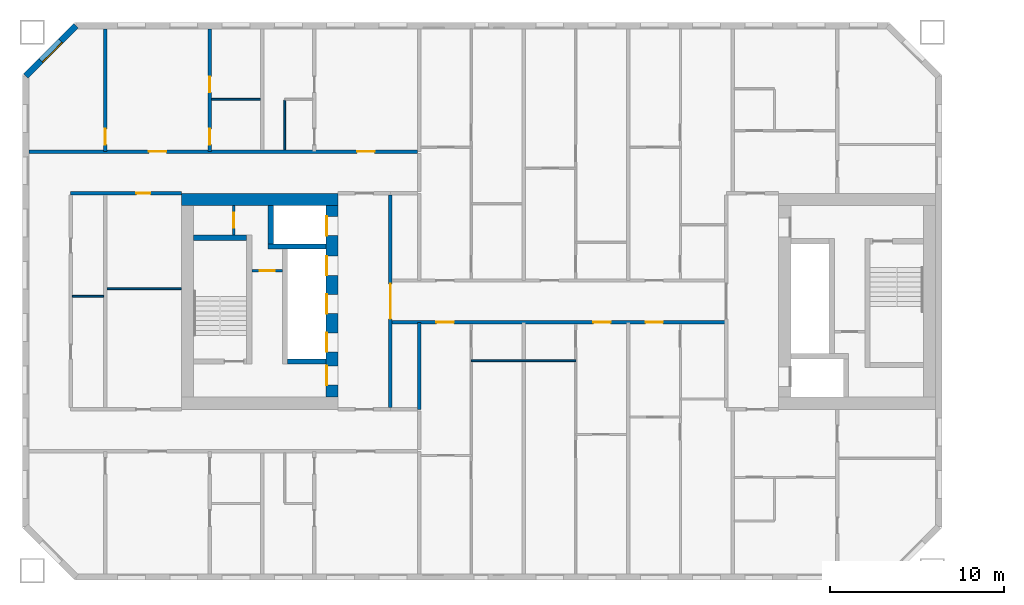
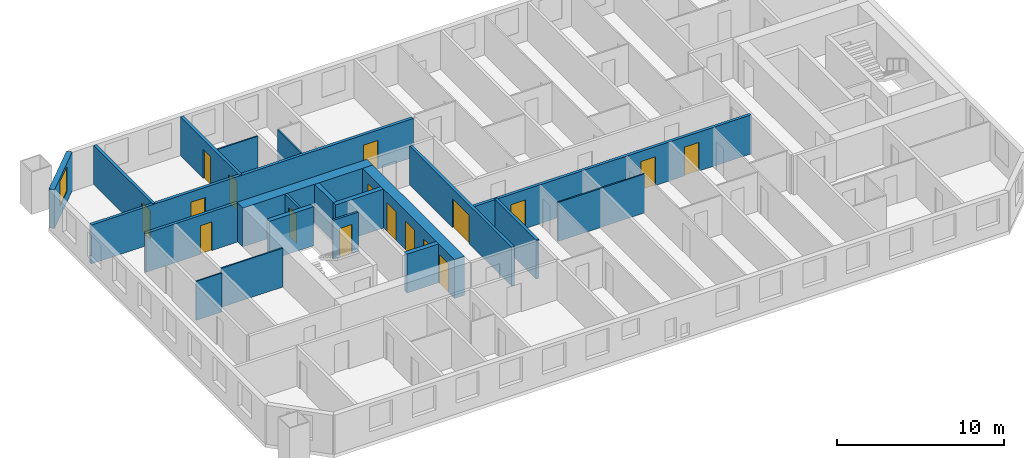
# One storey, part 4 of 16: 21 walls, 17 doors, 1 window, 18 openings.
"""IFC4 building model written with IfcOpenShell, lengths in metres."""

from ifc_helpers import new_model, si_unit, direction, frame, frame_2d, origin, place, context, subcontext, project, spatial, rectangle, extrude, material, layer, layer_set, type_object, element, fill, save


model = new_model("IFC4")

# Units and contexts
model_context = context("Model", 3, precision=1e-05, world=origin(), true_north=direction((0.0, 1.0)))
body_context = subcontext(model_context, "Body", "Model", "MODEL_VIEW")
ifc_project = project(units=[si_unit("LENGTHUNIT", "METRE"), si_unit("AREAUNIT", "SQUARE_METRE"), si_unit("VOLUMEUNIT", "CUBIC_METRE"), si_unit("PLANEANGLEUNIT", "RADIAN"), si_unit("MASSUNIT", "GRAM", prefix="KILO")], contexts=[model_context])

# Site, building, storey
site_placement = place(None, origin())
site = spatial("IfcSite", under=ifc_project, at=site_placement, CompositionType="ELEMENT")
building_placement = place(site_placement, origin())
building = spatial("IfcBuilding", under=site, at=building_placement, Name="Tuart Gate Housing", CompositionType="ELEMENT")
storey_placement = place(building_placement, frame((0.0, 0.0, 87.10009765625)))
storey = spatial("IfcBuildingStorey", under=building, at=storey_placement, Name="L24", CompositionType="ELEMENT", Elevation=87.10009765625)

# Wall, opening, window
ifc_material_1 = material(Name="Brick", Category="masonry")
ifc_layer_1 = layer(ifc_material_1, 0.360107421875)
ifc_layer_set_1 = layer_set([ifc_layer_1], Name="Brick pier and spandrel wall 360")
wall_type_1 = type_object("IfcWallType", Name="Brick pier and spandrel wall 360", PredefinedType="STANDARD", material=ifc_layer_set_1)
wall_1_placement = place(storey_placement, frame((26.32470703125, 85.820068359375, 0.0), z_axis=(0.0, 0.0, 1.0), x_axis=(-0.707106781187, -0.707106781187, 0.0)))
wall_1 = element("IfcWall", 1, at=wall_1_placement, inside=storey, type_object=wall_type_1, Name="External wall A-NW L24", PredefinedType="STANDARD", context=body_context, shape_type="SweptSolid", body=[
    extrude(rectangle(XDim=4.09375, YDim=0.360107421875, at=frame_2d((2.046875, 0.0))), origin(), (0.0, 0.0, 1.0), 2.849853515625),
])
opening_1_placement = place(wall_1_placement, frame((1.2470703125, 0.0, 0.800048828125)))
opening_1 = element("IfcOpeningElement", 2, at=opening_1_placement, cuts=wall_1, Name="Opening W1", PredefinedType="OPENING", context=body_context, shape_type="SweptSolid", body=[
    extrude(rectangle(XDim=1.60009765625, YDim=1.800048828125, at=frame_2d((0.800048828125, 0.89990234375))), frame((0.0, 0.18994140625, 0.0), z_axis=(0.0, -1.0, 0.0), x_axis=(1.0, 0.0, 0.0)), (0.0, 0.0, 1.0), 0.380126953125),
])
ifc_material_2 = material(Name="Aluminium frame with clear glass", Category="aluminium")
window_type = type_object("IfcWindowType", Name="Punched window 1600 x 1800", PartitioningType="SINGLE_PANEL", PredefinedType="WINDOW", material=ifc_material_2)
window_placement = place(opening_1_placement, origin())
window = element("IfcWindow", 3, at=window_placement, inside=storey, type_object=window_type, Name="Window W1", OverallHeight=1.800048828125, OverallWidth=1.60009765625, PartitioningType="SINGLE_PANEL", PredefinedType="WINDOW", context=body_context, shape_type="SweptSolid", body=[
    extrude(rectangle(XDim=1.60009765625, YDim=1.800048828125, at=frame_2d((0.800048828125, 0.89990234375))), frame((0.0, 0.150146484375, 0.0), z_axis=(0.0, -1.0, 0.0), x_axis=(1.0, 0.0, 0.0)), (0.0, 0.0, 1.0), 0.06005859375),
])
fill(opening_1, window)

# Wall, opening, door
ifc_material_3 = material(Name="Plasterboard partition")
ifc_layer_2 = layer(ifc_material_3, 0.14990234375)
ifc_layer_set_2 = layer_set([ifc_layer_2], Name="Core partition 150")
wall_type_2 = type_object("IfcWallType", Name="Core partition 150", PredefinedType="PARTITIONING", material=ifc_layer_set_2)
wall_2_placement = place(storey_placement, frame((38.159912109375, 71.75, 0.0), z_axis=(0.0, 0.0, 1.0), x_axis=(-1.0, 0.0, 0.0)))
wall_2 = element("IfcWall", 4, at=wall_2_placement, inside=storey, type_object=wall_type_2, Name="Core partition AK.3", PredefinedType="PARTITIONING", context=body_context, shape_type="SweptSolid", body=[
    extrude(rectangle(XDim=1.75, YDim=0.14990234375, at=frame_2d((0.875, 0.0))), origin(), (0.0, 0.0, 1.0), 2.849853515625),
])
opening_2_placement = place(wall_2_placement, frame((0.449951171875, 0.0, 0.0)))
opening_2 = element("IfcOpeningElement", 5, at=opening_2_placement, cuts=wall_2, Name="Opening D975", PredefinedType="OPENING", context=body_context, shape_type="SweptSolid", body=[
    extrude(rectangle(XDim=0.85009765625, YDim=2.10009765625, at=frame_2d((0.425048828125, 1.050048828125))), frame((0.0, 0.0849609375, 0.0), z_axis=(0.0, -1.0, 0.0), x_axis=(1.0, 0.0, 0.0)), (0.0, 0.0, 1.0), 0.169921875),
])
ifc_material_4 = material(Name="Steel fire door", Category="steel")
door_type_1 = type_object("IfcDoorType", Name="Riser door 850 x 2100 RH", OperationType="SINGLE_SWING_RIGHT", PredefinedType="DOOR", material=ifc_material_4)
door_1_placement = place(opening_2_placement, frame((0.85009765625, 0.0, 0.0), z_axis=(0.0, 0.0, 1.0), x_axis=(-1.0, 0.0, 0.0)))
door_1 = element("IfcDoor", 6, at=door_1_placement, inside=storey, type_object=door_type_1, Name="Service room door AK.E1", OperationType="SINGLE_SWING_RIGHT", OverallHeight=2.10009765625, OverallWidth=0.85009765625, PredefinedType="DOOR", context=body_context, shape_type="SweptSolid", body=[
    extrude(rectangle(XDim=0.85009765625, YDim=2.10009765625, at=frame_2d((0.425048828125, 1.050048828125))), frame((0.0, 0.025146484375, 0.0), z_axis=(0.0, -1.0, 0.0), x_axis=(1.0, 0.0, 0.0)), (0.0, 0.0, 1.0), 0.050048828125),
])
fill(opening_2, door_1)

wall_3_placement = place(storey_placement, frame((35.360107421875, 75.5, 0.0), z_axis=(0.0, 0.0, 1.0), x_axis=(0.0, -1.0, 0.0)))
wall_3 = element("IfcWall", 7, at=wall_3_placement, inside=storey, type_object=wall_type_2, Name="Core partition AK.9", PredefinedType="PARTITIONING", context=body_context, shape_type="SweptSolid", body=[
    extrude(rectangle(XDim=1.699951171875, YDim=0.14990234375, at=frame_2d((0.85009765625, 0.0))), origin(), (0.0, 0.0, 1.0), 2.849853515625),
])
opening_3_placement = place(wall_3_placement, frame((0.425048828125, 0.0, 0.0)))
opening_3 = element("IfcOpeningElement", 8, at=opening_3_placement, cuts=wall_3, Name="Opening D973", PredefinedType="OPENING", context=body_context, shape_type="SweptSolid", body=[
    extrude(rectangle(XDim=0.85009765625, YDim=2.10009765625, at=frame_2d((0.425048828125, 1.050048828125))), frame((0.0, 0.0849609375, 0.0), z_axis=(0.0, -1.0, 0.0), x_axis=(1.0, 0.0, 0.0)), (0.0, 0.0, 1.0), 0.169921875),
])
ifc_material_5 = material(Name="Steel fire door", Category="steel")
door_type_2 = type_object("IfcDoorType", Name="Service door 850 x 2100", OperationType="SINGLE_SWING_LEFT", PredefinedType="DOOR", material=ifc_material_5)
door_2_placement = place(opening_3_placement, origin())
door_2 = element("IfcDoor", 9, at=door_2_placement, inside=storey, type_object=door_type_2, Name="Service room door AK.E2", OperationType="SINGLE_SWING_LEFT", OverallHeight=2.10009765625, OverallWidth=0.85009765625, PredefinedType="DOOR", context=body_context, shape_type="SweptSolid", body=[
    extrude(rectangle(XDim=0.85009765625, YDim=2.10009765625, at=frame_2d((0.425048828125, 1.050048828125))), frame((0.0, 0.02490234375, 0.0), z_axis=(0.0, -1.0, 0.0), x_axis=(1.0, 0.0, 0.0)), (0.0, 0.0, 1.0), 0.050048828125),
])
fill(opening_3, door_2)

# Walls
ifc_material_6 = material(Name="Concrete C50", Category="concrete")
ifc_layer_3 = layer(ifc_material_6, 0.300048828125)
ifc_layer_set_3 = layer_set([ifc_layer_3], Name="Core wall 300 C50")
wall_type_3 = type_object("IfcWallType", Name="Core wall 300 C50", PredefinedType="SHEAR", material=ifc_layer_set_3)
wall_4_placement = place(storey_placement, frame((36.110107421875, 73.64990234375, 0.0), z_axis=(0.0, 0.0, 1.0), x_axis=(-1.0, 0.0, 0.0)))
element("IfcWall", 10, at=wall_4_placement, inside=storey, type_object=wall_type_3, Name="Core wall AK.1", PredefinedType="SHEAR", context=body_context, shape_type="SweptSolid", body=[
    extrude(rectangle(XDim=3.050048828125, YDim=0.300048828125, at=frame_2d((1.52490234375, 0.0))), origin(), (0.0, 0.0, 1.0), 2.849853515625),
])
wall_5_placement = place(storey_placement, frame((40.659912109375, 73.14990234375, 0.0), z_axis=(0.0, 0.0, 1.0), x_axis=(-1.0, 0.0, 0.0)))
element("IfcWall", 11, at=wall_5_placement, inside=storey, type_object=wall_type_3, Name="Core wall AK.2", PredefinedType="SHEAR", context=body_context, shape_type="SweptSolid", body=[
    extrude(rectangle(XDim=3.31982421875, YDim=0.300048828125, at=frame_2d((1.659912109375, 0.0))), origin(), (0.0, 0.0, 1.0), 2.849853515625),
])
for number, where, z_axis, x_axis, name in (
    (12, (40.659912109375, 66.550048828125, 0.0), (0.0, 0.0, 1.0), (-1.0, 0.0, 0.0), "Core wall AK.4"),
    (13, (37.489990234375, 75.5, 0.0), (0.0, 0.0, 1.0), (0.0, -1.0, 0.0), "Core wall AK.7"),
):
    element("IfcWall", number, at=place(storey_placement, frame(where, z_axis=z_axis, x_axis=x_axis)), inside=storey, type_object=wall_type_3, Name=name, PredefinedType="SHEAR", context=body_context, shape_type="SweptSolid", body=[
        extrude(rectangle(XDim=2.199951171875, YDim=0.300048828125, at=frame_2d((1.10009765625, 0.0))), origin(), (0.0, 0.0, 1.0), 2.849853515625),
    ])

# Wall, openings, doors
ifc_material_7 = material(Name="Concrete C50", Category="concrete")
ifc_layer_4 = layer(ifc_material_7, 0.699951171875)
ifc_layer_set_4 = layer_set([ifc_layer_4], Name="Core wall 700 C50")
wall_type_4 = type_object("IfcWallType", Name="Core wall 700 C50", PredefinedType="SHEAR", material=ifc_layer_set_4)
wall_6_placement = place(storey_placement, frame((41.010009765625, 75.5, 0.0), z_axis=(0.0, 0.0, 1.0), x_axis=(0.0, -1.0, 0.0)))
wall_6 = element("IfcWall", 14, at=wall_6_placement, inside=storey, type_object=wall_type_4, Name="Core wall AK front", PredefinedType="SHEAR", context=body_context, shape_type="SweptSolid", body=[
    extrude(rectangle(XDim=11.0, YDim=0.699951171875, at=frame_2d((5.5, 0.0))), origin(), (0.0, 0.0, 1.0), 2.849853515625),
])
opening_4_placement = place(wall_6_placement, frame((0.625, 0.0, 0.0)))
opening_4 = element("IfcOpeningElement", 15, at=opening_4_placement, cuts=wall_6, Name="Opening LD-FA2", PredefinedType="OPENING", context=body_context, shape_type="SweptSolid", body=[
    extrude(rectangle(XDim=1.10009765625, YDim=2.10009765625, at=frame_2d((0.550048828125, 1.050048828125))), frame((0.0, 0.35986328125, 0.0), z_axis=(0.0, -1.0, 0.0), x_axis=(1.0, 0.0, 0.0)), (0.0, 0.0, 1.0), 0.719970703125),
])
opening_5_placement = place(wall_6_placement, frame((2.89990234375, 0.0, 0.0)))
opening_5 = element("IfcOpeningElement", 16, at=opening_5_placement, cuts=wall_6, Name="Opening LD-LA4", PredefinedType="OPENING", context=body_context, shape_type="SweptSolid", body=[
    extrude(rectangle(XDim=1.10009765625, YDim=2.10009765625, at=frame_2d((0.550048828125, 1.050048828125))), frame((0.0, 0.35986328125, 0.0), z_axis=(0.0, -1.0, 0.0), x_axis=(1.0, 0.0, 0.0)), (0.0, 0.0, 1.0), 0.719970703125),
])
opening_6_placement = place(wall_6_placement, frame((5.10009765625, 0.0, 0.0)))
opening_6 = element("IfcOpeningElement", 17, at=opening_6_placement, cuts=wall_6, Name="Opening LD-LA5", PredefinedType="OPENING", context=body_context, shape_type="SweptSolid", body=[
    extrude(rectangle(XDim=1.10009765625, YDim=2.10009765625, at=frame_2d((0.550048828125, 1.050048828125))), frame((0.0, 0.35986328125, 0.0), z_axis=(0.0, -1.0, 0.0), x_axis=(1.0, 0.0, 0.0)), (0.0, 0.0, 1.0), 0.719970703125),
])
opening_7_placement = place(wall_6_placement, frame((7.300048828125, 0.0, 0.0)))
opening_7 = element("IfcOpeningElement", 18, at=opening_7_placement, cuts=wall_6, Name="Opening LD-LA6", PredefinedType="OPENING", context=body_context, shape_type="SweptSolid", body=[
    extrude(rectangle(XDim=1.10009765625, YDim=2.10009765625, at=frame_2d((0.550048828125, 1.050048828125))), frame((0.0, 0.35986328125, 0.0), z_axis=(0.0, -1.0, 0.0), x_axis=(1.0, 0.0, 0.0)), (0.0, 0.0, 1.0), 0.719970703125),
])
opening_8_placement = place(wall_6_placement, frame((9.199951171875, 0.0, 0.0)))
opening_8 = element("IfcOpeningElement", 19, at=opening_8_placement, cuts=wall_6, Name="Opening D981", PredefinedType="OPENING", context=body_context, shape_type="SweptSolid", body=[
    extrude(rectangle(XDim=1.10009765625, YDim=2.10009765625, at=frame_2d((0.550048828125, 1.050048828125))), frame((0.0, 0.35986328125, 0.0), z_axis=(0.0, -1.0, 0.0), x_axis=(1.0, 0.0, 0.0)), (0.0, 0.0, 1.0), 0.719970703125),
])
ifc_material_8 = material(Name="Stainless steel", Category="steel")
door_type_3 = type_object("IfcDoorType", Name="Landing door 1100 x 2100", OperationType="DOUBLE_DOOR_SLIDING", PredefinedType="DOOR", material=ifc_material_8)
door_3_placement = place(opening_4_placement, origin())
door_3 = element("IfcDoor", 20, at=door_3_placement, inside=storey, type_object=door_type_3, Name="Lift landing door FA2", OperationType="DOUBLE_DOOR_SLIDING", OverallHeight=2.10009765625, OverallWidth=1.10009765625, PredefinedType="DOOR", context=body_context, shape_type="SweptSolid", body=[
    extrude(rectangle(XDim=1.10009765625, YDim=2.10009765625, at=frame_2d((0.550048828125, 1.050048828125))), frame((0.0, -0.28515625, 0.0), z_axis=(0.0, -1.0, 0.0), x_axis=(1.0, 0.0, 0.0)), (0.0, 0.0, 1.0), 0.050048828125),
])
fill(opening_4, door_3)
door_4_placement = place(opening_5_placement, origin())
door_4 = element("IfcDoor", 21, at=door_4_placement, inside=storey, type_object=door_type_3, Name="Lift landing door LA4", OperationType="DOUBLE_DOOR_SLIDING", OverallHeight=2.10009765625, OverallWidth=1.10009765625, PredefinedType="DOOR", context=body_context, shape_type="SweptSolid", body=[
    extrude(rectangle(XDim=1.10009765625, YDim=2.10009765625, at=frame_2d((0.550048828125, 1.050048828125))), frame((0.0, -0.28515625, 0.0), z_axis=(0.0, -1.0, 0.0), x_axis=(1.0, 0.0, 0.0)), (0.0, 0.0, 1.0), 0.050048828125),
])
fill(opening_5, door_4)
door_5_placement = place(opening_6_placement, origin())
door_5 = element("IfcDoor", 22, at=door_5_placement, inside=storey, type_object=door_type_3, Name="Lift landing door LA5", OperationType="DOUBLE_DOOR_SLIDING", OverallHeight=2.10009765625, OverallWidth=1.10009765625, PredefinedType="DOOR", context=body_context, shape_type="SweptSolid", body=[
    extrude(rectangle(XDim=1.10009765625, YDim=2.10009765625, at=frame_2d((0.550048828125, 1.050048828125))), frame((0.0, -0.28515625, 0.0), z_axis=(0.0, -1.0, 0.0), x_axis=(1.0, 0.0, 0.0)), (0.0, 0.0, 1.0), 0.050048828125),
])
fill(opening_6, door_5)
door_6_placement = place(opening_7_placement, origin())
door_6 = element("IfcDoor", 23, at=door_6_placement, inside=storey, type_object=door_type_3, Name="Lift landing door LA6", OperationType="DOUBLE_DOOR_SLIDING", OverallHeight=2.10009765625, OverallWidth=1.10009765625, PredefinedType="DOOR", context=body_context, shape_type="SweptSolid", body=[
    extrude(rectangle(XDim=1.10009765625, YDim=2.10009765625, at=frame_2d((0.550048828125, 1.050048828125))), frame((0.0, -0.28515625, 0.0), z_axis=(0.0, -1.0, 0.0), x_axis=(1.0, 0.0, 0.0)), (0.0, 0.0, 1.0), 0.050048828125),
])
fill(opening_7, door_6)
ifc_material_9 = material(Name="Steel fire door", Category="steel")
door_type_4 = type_object("IfcDoorType", Name="Lobby door 1100 x 2100 RH", OperationType="SINGLE_SWING_RIGHT", PredefinedType="DOOR", material=ifc_material_9)
door_7_placement = place(opening_8_placement, frame((1.10009765625, 0.0, 0.0), z_axis=(0.0, 0.0, 1.0), x_axis=(-1.0, 0.0, 0.0)))
door_7 = element("IfcDoor", 24, at=door_7_placement, inside=storey, type_object=door_type_4, Name="Lobby entry door AK.EN", OperationType="SINGLE_SWING_RIGHT", OverallHeight=2.10009765625, OverallWidth=1.10009765625, PredefinedType="DOOR", context=body_context, shape_type="SweptSolid", body=[
    extrude(rectangle(XDim=1.10009765625, YDim=2.10009765625, at=frame_2d((0.550048828125, 1.050048828125))), frame((0.0, 0.335205078125, 0.0), z_axis=(0.0, -1.0, 0.0), x_axis=(1.0, 0.0, 0.0)), (0.0, 0.0, 1.0), 0.050048828125),
])
fill(opening_8, door_7)

# Wall
wall_7_placement = place(storey_placement, frame((41.360107421875, 75.85009765625, 0.0), z_axis=(0.0, 0.0, 1.0), x_axis=(-1.0, 0.0, 0.0)))
element("IfcWall", 25, at=wall_7_placement, inside=storey, type_object=wall_type_4, Name="Core wall AK south", PredefinedType="SHEAR", context=body_context, shape_type="SweptSolid", body=[
    extrude(rectangle(XDim=9.0, YDim=0.699951171875, at=frame_2d((4.5, 0.0))), origin(), (0.0, 0.0, 1.0), 2.849853515625),
])

# Wall, openings, doors
ifc_material_10 = material(Name="Concrete masonry 15 MPa", Category="masonry")
ifc_layer_5 = layer(ifc_material_10, 0.199951171875)
ifc_layer_set_5 = layer_set([ifc_layer_5], Name="Corridor wall masonry 200")
wall_type_5 = type_object("IfcWallType", Name="Corridor wall masonry 200", PredefinedType="PARTITIONING", material=ifc_layer_set_5)
wall_8_placement = place(storey_placement, frame((44.360107421875, 68.800048828125, 0.0), z_axis=(0.0, 0.0, 1.0), x_axis=(1.0, 0.0, 0.0)))
wall_8 = element("IfcWall", 26, at=wall_8_placement, inside=storey, type_object=wall_type_5, Name="Corridor wall masonry 200", PredefinedType="PARTITIONING", context=body_context, shape_type="SweptSolid", body=[
    extrude(rectangle(XDim=19.27978515625, YDim=0.199951171875, at=frame_2d((9.639892578125, 0.0))), origin(), (0.0, 0.0, 1.0), 2.849853515625),
])
opening_9_placement = place(wall_8_placement, frame((14.639892578125, 0.0, 0.0)))
opening_9 = element("IfcOpeningElement", 27, at=opening_9_placement, cuts=wall_8, Name="Opening D985", PredefinedType="OPENING", context=body_context, shape_type="SweptSolid", body=[
    extrude(rectangle(XDim=1.0, YDim=2.10009765625, at=frame_2d((0.5, 1.050048828125))), frame((0.0, 0.10986328125, 0.0), z_axis=(0.0, -1.0, 0.0), x_axis=(1.0, 0.0, 0.0)), (0.0, 0.0, 1.0), 0.219970703125),
])
opening_10_placement = place(wall_8_placement, frame((11.639892578125, 0.0, 0.0)))
opening_10 = element("IfcOpeningElement", 28, at=opening_10_placement, cuts=wall_8, Name="Opening D986", PredefinedType="OPENING", context=body_context, shape_type="SweptSolid", body=[
    extrude(rectangle(XDim=1.0, YDim=2.10009765625, at=frame_2d((0.5, 1.050048828125))), frame((0.0, 0.10986328125, 0.0), z_axis=(0.0, -1.0, 0.0), x_axis=(1.0, 0.0, 0.0)), (0.0, 0.0, 1.0), 0.219970703125),
])
opening_11_placement = place(wall_8_placement, frame((2.639892578125, 0.0, 0.0)))
opening_11 = element("IfcOpeningElement", 29, at=opening_11_placement, cuts=wall_8, Name="Opening D987", PredefinedType="OPENING", context=body_context, shape_type="SweptSolid", body=[
    extrude(rectangle(XDim=1.0, YDim=2.10009765625, at=frame_2d((0.5, 1.050048828125))), frame((0.0, 0.10986328125, 0.0), z_axis=(0.0, -1.0, 0.0), x_axis=(1.0, 0.0, 0.0)), (0.0, 0.0, 1.0), 0.219970703125),
])
ifc_material_11 = material(Name="Timber door leaf in steel frame", Category="steel")
door_type_5 = type_object("IfcDoorType", Name="Flat entrance door 1000 RH", OperationType="SINGLE_SWING_RIGHT", PredefinedType="DOOR", material=ifc_material_11)
door_8_placement = place(opening_9_placement, frame((1.0, 0.0, 0.0), z_axis=(0.0, 0.0, 1.0), x_axis=(-1.0, 0.0, 0.0)))
door_8 = element("IfcDoor", 30, at=door_8_placement, inside=storey, type_object=door_type_5, Name="Flat entrance door", OperationType="SINGLE_SWING_RIGHT", OverallHeight=2.10009765625, OverallWidth=1.0, PredefinedType="DOOR", context=body_context, shape_type="SweptSolid", body=[
    extrude(rectangle(XDim=1.0, YDim=2.10009765625, at=frame_2d((0.5, 1.050048828125))), frame((0.0, 0.025146484375, 0.0), z_axis=(0.0, -1.0, 0.0), x_axis=(1.0, 0.0, 0.0)), (0.0, 0.0, 1.0), 0.050048828125),
])
fill(opening_9, door_8)
door_9_placement = place(opening_10_placement, frame((1.0, 0.0, 0.0), z_axis=(0.0, 0.0, 1.0), x_axis=(-1.0, 0.0, 0.0)))
door_9 = element("IfcDoor", 31, at=door_9_placement, inside=storey, type_object=door_type_5, Name="Flat entrance door", OperationType="SINGLE_SWING_RIGHT", OverallHeight=2.10009765625, OverallWidth=1.0, PredefinedType="DOOR", context=body_context, shape_type="SweptSolid", body=[
    extrude(rectangle(XDim=1.0, YDim=2.10009765625, at=frame_2d((0.5, 1.050048828125))), frame((0.0, 0.025146484375, 0.0), z_axis=(0.0, -1.0, 0.0), x_axis=(1.0, 0.0, 0.0)), (0.0, 0.0, 1.0), 0.050048828125),
])
fill(opening_10, door_9)
door_10_placement = place(opening_11_placement, frame((1.0, 0.0, 0.0), z_axis=(0.0, 0.0, 1.0), x_axis=(-1.0, 0.0, 0.0)))
door_10 = element("IfcDoor", 32, at=door_10_placement, inside=storey, type_object=door_type_5, Name="Flat entrance door", OperationType="SINGLE_SWING_RIGHT", OverallHeight=2.10009765625, OverallWidth=1.0, PredefinedType="DOOR", context=body_context, shape_type="SweptSolid", body=[
    extrude(rectangle(XDim=1.0, YDim=2.10009765625, at=frame_2d((0.5, 1.050048828125))), frame((0.0, 0.025146484375, 0.0), z_axis=(0.0, -1.0, 0.0), x_axis=(1.0, 0.0, 0.0)), (0.0, 0.0, 1.0), 0.050048828125),
])
fill(opening_11, door_10)

# Wall, opening, door
wall_9_placement = place(storey_placement, frame((26.010009765625, 76.199951171875, 0.0), z_axis=(0.0, 0.0, 1.0), x_axis=(1.0, 0.0, 0.0)))
wall_9 = element("IfcWall", 33, at=wall_9_placement, inside=storey, type_object=wall_type_5, Name="Corridor wall masonry 200", PredefinedType="PARTITIONING", context=body_context, shape_type="SweptSolid", body=[
    extrude(rectangle(XDim=6.35009765625, YDim=0.199951171875, at=frame_2d((3.175048828125, 0.0))), origin(), (0.0, 0.0, 1.0), 2.849853515625),
])
opening_12_placement = place(wall_9_placement, frame((3.77001953125, 0.0, 0.0)))
opening_12 = element("IfcOpeningElement", 34, at=opening_12_placement, cuts=wall_9, Name="Opening D970", PredefinedType="OPENING", context=body_context, shape_type="SweptSolid", body=[
    extrude(rectangle(XDim=0.800048828125, YDim=2.10009765625, at=frame_2d((0.39990234375, 1.050048828125))), frame((0.0, 0.10986328125, 0.0), z_axis=(0.0, -1.0, 0.0), x_axis=(1.0, 0.0, 0.0)), (0.0, 0.0, 1.0), 0.219970703125),
])
ifc_material_12 = material(Name="Timber door leaf in steel frame", Category="steel")
door_type_6 = type_object("IfcDoorType", Name="Store door 800 RH", OperationType="SINGLE_SWING_RIGHT", PredefinedType="DOOR", material=ifc_material_12)
door_11_placement = place(opening_12_placement, frame((0.800048828125, 0.0, 0.0), z_axis=(0.0, 0.0, 1.0), x_axis=(-1.0, 0.0, 0.0)))
door_11 = element("IfcDoor", 35, at=door_11_placement, inside=storey, type_object=door_type_6, Name="Store door", OperationType="SINGLE_SWING_RIGHT", OverallHeight=2.10009765625, OverallWidth=0.800048828125, PredefinedType="DOOR", context=body_context, shape_type="SweptSolid", body=[
    extrude(rectangle(XDim=0.800048828125, YDim=2.10009765625, at=frame_2d((0.400146484375, 1.050048828125))), frame((0.0, 0.025146484375, 0.0), z_axis=(0.0, -1.0, 0.0), x_axis=(1.0, 0.0, 0.0)), (0.0, 0.0, 1.0), 0.050048828125),
])
fill(opening_12, door_11)

# Wall, openings, doors
wall_10_placement = place(storey_placement, frame((23.610107421875, 78.60009765625, 0.0), z_axis=(0.0, 0.0, 1.0), x_axis=(1.0, 0.0, 0.0)))
wall_10 = element("IfcWall", 36, at=wall_10_placement, inside=storey, type_object=wall_type_5, Name="Corridor wall masonry 200", PredefinedType="PARTITIONING", context=body_context, shape_type="SweptSolid", body=[
    extrude(rectangle(XDim=22.289794921875, YDim=0.199951171875, at=frame_2d((11.14501953125, 0.0))), origin(), (0.0, 0.0, 1.0), 2.849853515625),
])
opening_13_placement = place(wall_10_placement, frame((18.840087890625, 0.0, 0.0)))
opening_13 = element("IfcOpeningElement", 37, at=opening_13_placement, cuts=wall_10, Name="Opening D961", PredefinedType="OPENING", context=body_context, shape_type="SweptSolid", body=[
    extrude(rectangle(XDim=1.0, YDim=2.10009765625, at=frame_2d((0.5, 1.050048828125))), frame((0.0, 0.10986328125, 0.0), z_axis=(0.0, -1.0, 0.0), x_axis=(1.0, 0.0, 0.0)), (0.0, 0.0, 1.0), 0.219970703125),
])
opening_14_placement = place(wall_10_placement, frame((6.889892578125, 0.0, 0.0)))
opening_14 = element("IfcOpeningElement", 38, at=opening_14_placement, cuts=wall_10, Name="Opening D962", PredefinedType="OPENING", context=body_context, shape_type="SweptSolid", body=[
    extrude(rectangle(XDim=1.0, YDim=2.10009765625, at=frame_2d((0.5, 1.050048828125))), frame((0.0, 0.10986328125, 0.0), z_axis=(0.0, -1.0, 0.0), x_axis=(1.0, 0.0, 0.0)), (0.0, 0.0, 1.0), 0.219970703125),
])
ifc_material_13 = material(Name="Timber door leaf in steel frame", Category="steel")
door_type_7 = type_object("IfcDoorType", Name="Flat entrance door 1000", OperationType="SINGLE_SWING_LEFT", PredefinedType="DOOR", material=ifc_material_13)
door_12_placement = place(opening_13_placement, origin())
door_12 = element("IfcDoor", 39, at=door_12_placement, inside=storey, type_object=door_type_7, Name="Flat entrance door", OperationType="SINGLE_SWING_LEFT", OverallHeight=2.10009765625, OverallWidth=1.0, PredefinedType="DOOR", context=body_context, shape_type="SweptSolid", body=[
    extrude(rectangle(XDim=1.0, YDim=2.10009765625, at=frame_2d((0.5, 1.050048828125))), frame((0.0, 0.02490234375, 0.0), z_axis=(0.0, -1.0, 0.0), x_axis=(1.0, 0.0, 0.0)), (0.0, 0.0, 1.0), 0.050048828125),
])
fill(opening_13, door_12)
door_13_placement = place(opening_14_placement, origin())
door_13 = element("IfcDoor", 40, at=door_13_placement, inside=storey, type_object=door_type_7, Name="Flat entrance door", OperationType="SINGLE_SWING_LEFT", OverallHeight=2.10009765625, OverallWidth=1.0, PredefinedType="DOOR", context=body_context, shape_type="SweptSolid", body=[
    extrude(rectangle(XDim=1.0, YDim=2.10009765625, at=frame_2d((0.5, 1.050048828125))), frame((0.0, 0.02490234375, 0.0), z_axis=(0.0, -1.0, 0.0), x_axis=(1.0, 0.0, 0.0)), (0.0, 0.0, 1.0), 0.050048828125),
])
fill(opening_14, door_13)

# Wall, opening, door
ifc_material_14 = material(Name="Plasterboard partition")
ifc_layer_6 = layer(ifc_material_14, 0.199951171875)
ifc_layer_set_6 = layer_set([ifc_layer_6], Name="Lobby wall 200")
wall_type_6 = type_object("IfcWallType", Name="Lobby wall 200", PredefinedType="PARTITIONING", material=ifc_layer_set_6)
wall_11_placement = place(storey_placement, frame((44.360107421875, 63.89990234375, 0.0), z_axis=(0.0, 0.0, 1.0), x_axis=(0.0, 1.0, 0.0)))
wall_11 = element("IfcWall", 41, at=wall_11_placement, inside=storey, type_object=wall_type_6, Name="Lift lobby wall AK", PredefinedType="PARTITIONING", context=body_context, shape_type="SweptSolid", body=[
    extrude(rectangle(XDim=12.2001953125, YDim=0.199951171875, at=frame_2d((6.10009765625, 0.0))), origin(), (0.0, 0.0, 1.0), 2.849853515625),
])
opening_15_placement = place(wall_11_placement, frame((5.10009765625, 0.0, 0.0)))
opening_15 = element("IfcOpeningElement", 42, at=opening_15_placement, cuts=wall_11, Name="Opening D982", PredefinedType="OPENING", context=body_context, shape_type="SweptSolid", body=[
    extrude(rectangle(XDim=2.0, YDim=2.10009765625, at=frame_2d((1.0, 1.050048828125))), frame((0.0, 0.10986328125, 0.0), z_axis=(0.0, -1.0, 0.0), x_axis=(1.0, 0.0, 0.0)), (0.0, 0.0, 1.0), 0.219970703125),
])
ifc_material_15 = material(Name="Steel fire door", Category="steel")
door_type_8 = type_object("IfcDoorType", Name="Smoke door 2000 x 2100", OperationType="DOUBLE_DOOR_SINGLE_SWING", PredefinedType="DOOR", material=ifc_material_15)
door_14_placement = place(opening_15_placement, origin())
door_14 = element("IfcDoor", 43, at=door_14_placement, inside=storey, type_object=door_type_8, Name="Lift lobby smoke door AK", OperationType="DOUBLE_DOOR_SINGLE_SWING", OverallHeight=2.10009765625, OverallWidth=2.0, PredefinedType="DOOR", context=body_context, shape_type="SweptSolid", body=[
    extrude(rectangle(XDim=2.0, YDim=2.10009765625, at=frame_2d((1.0, 1.050048828125))), frame((0.0, 0.02490234375, 0.0), z_axis=(0.0, -1.0, 0.0), x_axis=(1.0, 0.0, 0.0)), (0.0, 0.0, 1.0), 0.050048828125),
])
fill(opening_15, door_14)

# Walls
ifc_material_16 = material(Name="Gypsum board on steel studs", Category="steel")
ifc_layer_7 = layer(ifc_material_16, 0.10009765625)
ifc_layer_set_7 = layer_set([ifc_layer_7], Name="Partition 100")
wall_type_7 = type_object("IfcWallType", Name="Partition 100", PredefinedType="PARTITIONING", material=ifc_layer_set_7)
wall_12_placement = place(storey_placement, frame((49.0, 66.60009765625, 0.0), z_axis=(0.0, 0.0, 1.0), x_axis=(1.0, 0.0, 0.0)))
element("IfcWall", 44, at=wall_12_placement, inside=storey, type_object=wall_type_7, Name="Partition 100", PredefinedType="PARTITIONING", context=body_context, shape_type="SweptSolid", body=[
    extrude(rectangle(XDim=6.0, YDim=0.10009765625, at=frame_2d((3.0, 0.0))), origin(), (0.0, 0.0, 1.0), 2.849853515625),
])
wall_13_placement = place(storey_placement, frame((26.110107421875, 70.300048828125, 0.0), z_axis=(0.0, 0.0, 1.0), x_axis=(1.0, 0.0, 0.0)))
element("IfcWall", 45, at=wall_13_placement, inside=storey, type_object=wall_type_7, Name="Partition 100", PredefinedType="PARTITIONING", context=body_context, shape_type="SweptSolid", body=[
    extrude(rectangle(XDim=1.789794921875, YDim=0.10009765625, at=frame_2d((0.89501953125, 0.0))), origin(), (0.0, 0.0, 1.0), 2.849853515625),
])
wall_14_placement = place(storey_placement, frame((28.10009765625, 70.72998046875, 0.0), z_axis=(0.0, 0.0, 1.0), x_axis=(1.0, 0.0, 0.0)))
element("IfcWall", 46, at=wall_14_placement, inside=storey, type_object=wall_type_7, Name="Partition 100", PredefinedType="PARTITIONING", context=body_context, shape_type="SweptSolid", body=[
    extrude(rectangle(XDim=4.260009765625, YDim=0.10009765625, at=frame_2d((2.1298828125, 0.0))), origin(), (0.0, 0.0, 1.0), 2.849853515625),
])
wall_15_placement = place(storey_placement, frame((34.10009765625, 81.60009765625, 0.0), z_axis=(0.0, 0.0, 1.0), x_axis=(1.0, 0.0, 0.0)))
element("IfcWall", 47, at=wall_15_placement, inside=storey, type_object=wall_type_7, Name="Partition 100", PredefinedType="PARTITIONING", context=body_context, shape_type="SweptSolid", body=[
    extrude(rectangle(XDim=2.7998046875, YDim=0.10009765625, at=frame_2d((1.39990234375, 0.0))), origin(), (0.0, 0.0, 1.0), 2.849853515625),
])
wall_16_placement = place(storey_placement, frame((38.300048828125, 78.699951171875, 0.0), z_axis=(0.0, 0.0, 1.0), x_axis=(0.0, 1.0, 0.0)))
element("IfcWall", 48, at=wall_16_placement, inside=storey, type_object=wall_type_7, Name="Partition 100", PredefinedType="PARTITIONING", context=body_context, shape_type="SweptSolid", body=[
    extrude(rectangle(XDim=2.85009765625, YDim=0.10009765625, at=frame_2d((1.425048828125, 0.0))), origin(), (0.0, 0.0, 1.0), 2.849853515625),
])

# Wall, opening, door
ifc_material_17 = material(Name="Concrete C40", Category="concrete")
ifc_layer_8 = layer(ifc_material_17, 0.199951171875)
ifc_layer_set_8 = layer_set([ifc_layer_8], Name="Party wall concrete C40 200")
wall_type_8 = type_object("IfcWallType", Name="Party wall concrete C40 200", PredefinedType="SOLIDWALL", material=ifc_layer_set_8)
wall_17_placement = place(storey_placement, frame((28.0, 78.60009765625, 0.0), z_axis=(0.0, 0.0, 1.0), x_axis=(0.0, 1.0, 0.0)))
wall_17 = element("IfcWall", 49, at=wall_17_placement, inside=storey, type_object=wall_type_8, Name="Party wall concrete C40 200", PredefinedType="SOLIDWALL", context=body_context, shape_type="SweptSolid", body=[
    extrude(rectangle(XDim=7.039794921875, YDim=0.199951171875, at=frame_2d((3.52001953125, 0.0))), origin(), (0.0, 0.0, 1.0), 2.849853515625),
])
opening_16_placement = place(wall_17_placement, frame((0.39990234375, 0.0, 0.0)))
opening_16 = element("IfcOpeningElement", 50, at=opening_16_placement, cuts=wall_17, Name="Opening D950", PredefinedType="OPENING", context=body_context, shape_type="SweptSolid", body=[
    extrude(rectangle(XDim=0.89990234375, YDim=2.10009765625, at=frame_2d((0.449951171875, 1.050048828125))), frame((0.0, 0.10986328125, 0.0), z_axis=(0.0, -1.0, 0.0), x_axis=(1.0, 0.0, 0.0)), (0.0, 0.0, 1.0), 0.219970703125),
])
ifc_material_18 = material(Name="Timber door leaf in steel frame", Category="steel")
door_type_9 = type_object("IfcDoorType", Name="Internal door 900", OperationType="SINGLE_SWING_LEFT", PredefinedType="DOOR", material=ifc_material_18)
door_15_placement = place(opening_16_placement, origin())
door_15 = element("IfcDoor", 51, at=door_15_placement, inside=storey, type_object=door_type_9, Name="Internal door", OperationType="SINGLE_SWING_LEFT", OverallHeight=2.10009765625, OverallWidth=0.89990234375, PredefinedType="DOOR", context=body_context, shape_type="SweptSolid", body=[
    extrude(rectangle(XDim=0.89990234375, YDim=2.10009765625, at=frame_2d((0.449951171875, 1.050048828125))), frame((0.0, 0.02490234375, 0.0), z_axis=(0.0, -1.0, 0.0), x_axis=(1.0, 0.0, 0.0)), (0.0, 0.0, 1.0), 0.050048828125),
])
fill(opening_16, door_15)

# Wall, openings, doors
wall_18_placement = place(storey_placement, frame((34.0, 78.60009765625, 0.0), z_axis=(0.0, 0.0, 1.0), x_axis=(0.0, 1.0, 0.0)))
wall_18 = element("IfcWall", 52, at=wall_18_placement, inside=storey, type_object=wall_type_8, Name="Party wall concrete C40 200", PredefinedType="SOLIDWALL", context=body_context, shape_type="SweptSolid", body=[
    extrude(rectangle(XDim=7.039794921875, YDim=0.199951171875, at=frame_2d((3.52001953125, 0.0))), origin(), (0.0, 0.0, 1.0), 2.849853515625),
])
opening_17_placement = place(wall_18_placement, frame((3.39990234375, 0.0, 0.0)))
opening_17 = element("IfcOpeningElement", 53, at=opening_17_placement, cuts=wall_18, Name="Opening D952", PredefinedType="OPENING", context=body_context, shape_type="SweptSolid", body=[
    extrude(rectangle(XDim=0.89990234375, YDim=2.10009765625, at=frame_2d((0.449951171875, 1.050048828125))), frame((0.0, 0.10986328125, 0.0), z_axis=(0.0, -1.0, 0.0), x_axis=(1.0, 0.0, 0.0)), (0.0, 0.0, 1.0), 0.219970703125),
])
opening_18_placement = place(wall_18_placement, frame((0.39990234375, 0.0, 0.0)))
opening_18 = element("IfcOpeningElement", 54, at=opening_18_placement, cuts=wall_18, Name="Opening D951", PredefinedType="OPENING", context=body_context, shape_type="SweptSolid", body=[
    extrude(rectangle(XDim=0.89990234375, YDim=2.10009765625, at=frame_2d((0.449951171875, 1.050048828125))), frame((0.0, 0.10986328125, 0.0), z_axis=(0.0, -1.0, 0.0), x_axis=(1.0, 0.0, 0.0)), (0.0, 0.0, 1.0), 0.219970703125),
])
ifc_material_19 = material(Name="Timber door leaf in steel frame", Category="steel")
door_type_10 = type_object("IfcDoorType", Name="Bathroom door 900 RH", OperationType="SINGLE_SWING_RIGHT", PredefinedType="DOOR", material=ifc_material_19)
door_16_placement = place(opening_18_placement, frame((0.89990234375, 0.0, 0.0), z_axis=(0.0, 0.0, 1.0), x_axis=(-1.0, 0.0, 0.0)))
door_16 = element("IfcDoor", 55, at=door_16_placement, inside=storey, type_object=door_type_10, Name="Bathroom door", OperationType="SINGLE_SWING_RIGHT", OverallHeight=2.10009765625, OverallWidth=0.89990234375, PredefinedType="DOOR", context=body_context, shape_type="SweptSolid", body=[
    extrude(rectangle(XDim=0.89990234375, YDim=2.10009765625, at=frame_2d((0.449951171875, 1.050048828125))), frame((0.0, 0.025146484375, 0.0), z_axis=(0.0, -1.0, 0.0), x_axis=(1.0, 0.0, 0.0)), (0.0, 0.0, 1.0), 0.050048828125),
])
fill(opening_18, door_16)
ifc_material_20 = material(Name="Timber door leaf in steel frame", Category="steel")
door_type_11 = type_object("IfcDoorType", Name="Internal door 900 RH", OperationType="SINGLE_SWING_RIGHT", PredefinedType="DOOR", material=ifc_material_20)
door_17_placement = place(opening_17_placement, frame((0.89990234375, 0.0, 0.0), z_axis=(0.0, 0.0, 1.0), x_axis=(-1.0, 0.0, 0.0)))
door_17 = element("IfcDoor", 56, at=door_17_placement, inside=storey, type_object=door_type_11, Name="Internal door", OperationType="SINGLE_SWING_RIGHT", OverallHeight=2.10009765625, OverallWidth=0.89990234375, PredefinedType="DOOR", context=body_context, shape_type="SweptSolid", body=[
    extrude(rectangle(XDim=0.89990234375, YDim=2.10009765625, at=frame_2d((0.449951171875, 1.050048828125))), frame((0.0, 0.025146484375, 0.0), z_axis=(0.0, -1.0, 0.0), x_axis=(1.0, 0.0, 0.0)), (0.0, 0.0, 1.0), 0.050048828125),
])
fill(opening_17, door_17)

# Wall
wall_19_placement = place(storey_placement, frame((46.0, 63.800048828125, 0.0), z_axis=(0.0, 0.0, 1.0), x_axis=(0.0, 1.0, 0.0)))
element("IfcWall", 57, at=wall_19_placement, inside=storey, type_object=wall_type_8, Name="Party wall concrete C40 200", PredefinedType="SOLIDWALL", context=body_context, shape_type="SweptSolid", body=[
    extrude(rectangle(XDim=5.0, YDim=0.199951171875, at=frame_2d((2.5, 0.0))), origin(), (0.0, 0.0, 1.0), 2.849853515625),
])

save(model, "model.ifc")
